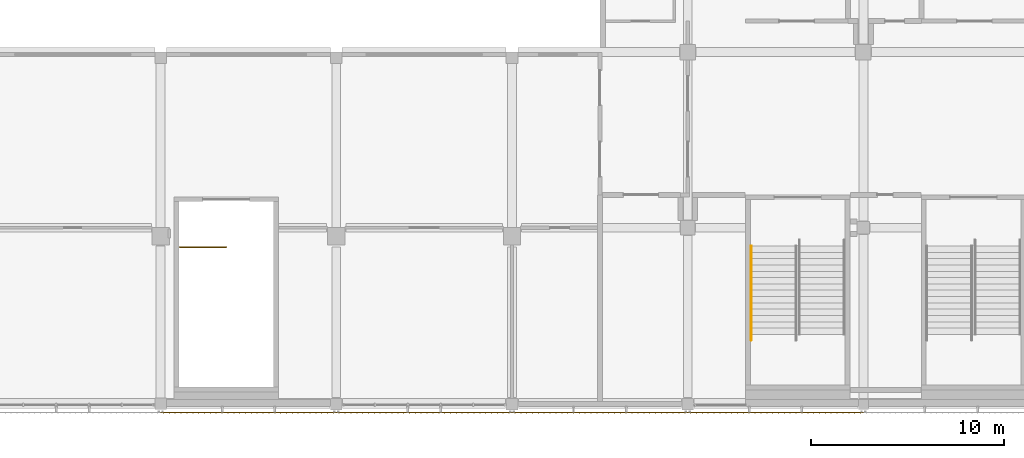
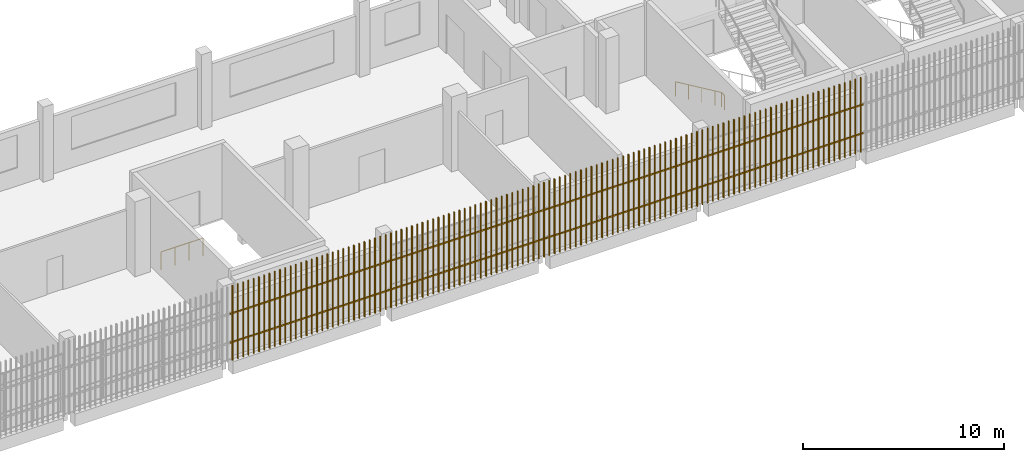
# One storey, part 91 of 104: 4 shading devices, 2 railings.
"""IFC4 building model written with IfcOpenShell, lengths in metres."""

from ifc_helpers import new_model, si_unit, direction, frame, origin, origin_2d, place, context, subcontext, project, spatial, rectangle, circle, extrude, material, type_object, element, save


model = new_model("IFC4")

# Units and contexts
model_context = context("Model", 3, precision=1e-05, world=origin(), true_north=direction((0.0, 1.0)))
body_context = subcontext(model_context, "Body", "Model", "MODEL_VIEW")
ifc_project = project(units=[si_unit("LENGTHUNIT", "METRE"), si_unit("AREAUNIT", "SQUARE_METRE"), si_unit("VOLUMEUNIT", "CUBIC_METRE"), si_unit("PLANEANGLEUNIT", "RADIAN"), si_unit("MASSUNIT", "GRAM", prefix="KILO")], contexts=[model_context])

# Site, building, storey
site_placement = place(None, origin())
site = spatial("IfcSite", under=ifc_project, at=site_placement, CompositionType="ELEMENT")
building_placement = place(site_placement, origin())
building = spatial("IfcBuilding", under=site, at=building_placement, Name="Shirokan Park Arena", CompositionType="ELEMENT")
storey_placement = place(building_placement, frame((0.0, 0.0, 10.919921875)))
storey = spatial("IfcBuildingStorey", under=building, at=storey_placement, Name="L02", CompositionType="ELEMENT", Elevation=10.919921875)

# Railings
ifc_material_1 = material(Name="Stainless steel", Category="steel")
railing_type_1 = type_object("IfcRailingType", Name="Stair handrail 900", PredefinedType="HANDRAIL", material=ifc_material_1)
railing_1_placement = place(storey_placement, frame((112.489990234375, 8.14990234375, 0.15185546875)))
element("IfcRailing", 1, at=railing_1_placement, inside=storey, type_object=railing_type_1, Name="Handrail Exit Stair 2.D L02 to L03", PredefinedType="HANDRAIL", context=body_context, shape_type="SweptSolid", body=[
    extrude(circle(Radius=0.02392578125, at=origin_2d()), frame((0.0, 0.0, 0.8759765625), z_axis=(0.0, -0.907064445915, 0.420991794405), x_axis=(1.0, 0.0, 0.0)), (0.0, 0.0, 1.0), 1.4404296875),
    extrude(circle(Radius=0.02392578125, at=origin_2d()), frame((0.0, -1.306640625, 1.482421875), z_axis=(0.0, -0.907029769225, 0.421066500378), x_axis=(1.0, 0.0, 0.0)), (0.0, 0.0, 1.0), 1.44091796875),
    extrude(circle(Radius=0.02392578125, at=origin_2d()), frame((0.0, -2.613525390625, 2.0888671875), z_axis=(0.0, -0.907029769225, 0.421066500378), x_axis=(1.0, 0.0, 0.0)), (0.0, 0.0, 1.0), 1.44091796875),
    extrude(circle(Radius=0.02392578125, at=origin_2d()), frame((0.0, -3.92041015625, 2.69580078125), z_axis=(0.0, -0.906934982928, 0.421270621741), x_axis=(1.0, 0.0, 0.0)), (0.0, 0.0, 1.0), 0.720458984375),
    extrude(circle(Radius=0.02392578125, at=origin_2d()), frame((0.0, -4.57373046875, 2.9990234375), z_axis=(0.0, -1.0, 0.0), x_axis=(1.0, 0.0, 0.0)), (0.0, 0.0, 1.0), 0.300048828125),
    extrude(circle(Radius=0.02099609375, at=origin_2d()), origin(), (0.0, 0.0, 1.0), 0.851806640625),
    extrude(circle(Radius=0.02099609375, at=origin_2d()), frame((0.0, -1.306640625, 0.6064453125)), (0.0, 0.0, 1.0), 0.851806640625),
    extrude(circle(Radius=0.02099609375, at=origin_2d()), frame((0.0, -2.613525390625, 1.213134765625)), (0.0, 0.0, 1.0), 0.851806640625),
    extrude(circle(Radius=0.02099609375, at=origin_2d()), frame((0.0, -3.92041015625, 1.81982421875)), (0.0, 0.0, 1.0), 0.851806640625),
    extrude(circle(Radius=0.02099609375, at=origin_2d()), frame((0.0, -4.57373046875, 2.123291015625)), (0.0, 0.0, 1.0), 0.851806640625),
    extrude(circle(Radius=0.02099609375, at=origin_2d()), frame((0.0, -4.873779296875, 2.123291015625)), (0.0, 0.0, 1.0), 0.851806640625),
])
railing_type_2 = type_object("IfcRailingType", Name="Stair well guard 1100", PredefinedType="GUARDRAIL", material=ifc_material_1)
railing_2_placement = place(storey_placement, frame((82.89990234375, 8.10009765625, 0.0)))
element("IfcRailing", 2, at=railing_2_placement, inside=storey, type_object=railing_type_2, Name="Guard Entrance Stair E1.2 L02", PredefinedType="GUARDRAIL", context=body_context, shape_type="SweptSolid", body=[
    extrude(circle(Radius=0.02490234375, at=origin_2d()), frame((0.0, 0.0, 1.0771484375), z_axis=(1.0, 0.0, 0.0), x_axis=(0.0, 1.0, 0.0)), (0.0, 0.0, 1.0), 2.400146484375),
    extrude(circle(Radius=0.02490234375, at=origin_2d()), origin(), (0.0, 0.0, 1.0), 1.052001953125),
    extrude(circle(Radius=0.02490234375, at=origin_2d()), frame((0.800048828125, 0.0, 0.0)), (0.0, 0.0, 1.0), 1.052001953125),
    extrude(circle(Radius=0.02490234375, at=origin_2d()), frame((1.60009765625, 0.0, 0.0)), (0.0, 0.0, 1.0), 1.052001953125),
    extrude(circle(Radius=0.02490234375, at=origin_2d()), frame((2.400146484375, 0.0, 0.0)), (0.0, 0.0, 1.0), 1.052001953125),
])

# Shading devices
ifc_material_2 = material(Name="Timber louvre veil (cedar)", Category="wood")
shading_device_type = type_object("IfcShadingDeviceType", Name="Timber louvre veil panel", PredefinedType="JALOUSIE", material=ifc_material_2)
shading_device_1_placement = place(storey_placement, origin())
element("IfcShadingDevice", 3, at=shading_device_1_placement, inside=storey, type_object=shading_device_type, Name="Timber louvre veil south bay 10 L02", PredefinedType="JALOUSIE", context=body_context, shape_type="SweptSolid", body=[
    extrude(rectangle(XDim=0.050048828125, YDim=0.080078125, at=origin_2d()), frame((82.0517578125, -0.485107421875, 0.0), z_axis=(0.0, 0.0, 1.0), x_axis=(1.0, 0.0, 0.0)), (0.0, 0.0, 1.0), 4.550048828125),
    extrude(rectangle(XDim=0.050048828125, YDim=0.080078125, at=origin_2d()), frame((82.35498046875, -0.485107421875, 0.0), z_axis=(0.0, 0.0, 1.0), x_axis=(1.0, 0.0, 0.0)), (0.0, 0.0, 1.0), 4.550048828125),
    extrude(rectangle(XDim=0.050048828125, YDim=0.080078125, at=origin_2d()), frame((82.658447265625, -0.485107421875, 0.0), z_axis=(0.0, 0.0, 1.0), x_axis=(1.0, 0.0, 0.0)), (0.0, 0.0, 1.0), 4.550048828125),
    extrude(rectangle(XDim=0.050048828125, YDim=0.080078125, at=origin_2d()), frame((82.961669921875, -0.485107421875, 0.0), z_axis=(0.0, 0.0, 1.0), x_axis=(1.0, 0.0, 0.0)), (0.0, 0.0, 1.0), 4.550048828125),
    extrude(rectangle(XDim=0.050048828125, YDim=0.080078125, at=origin_2d()), frame((83.264892578125, -0.485107421875, 0.0), z_axis=(0.0, 0.0, 1.0), x_axis=(1.0, 0.0, 0.0)), (0.0, 0.0, 1.0), 4.550048828125),
    extrude(rectangle(XDim=0.050048828125, YDim=0.080078125, at=origin_2d()), frame((83.568359375, -0.485107421875, 0.0), z_axis=(0.0, 0.0, 1.0), x_axis=(1.0, 0.0, 0.0)), (0.0, 0.0, 1.0), 4.550048828125),
    extrude(rectangle(XDim=0.050048828125, YDim=0.080078125, at=origin_2d()), frame((83.87158203125, -0.485107421875, 0.0), z_axis=(0.0, 0.0, 1.0), x_axis=(1.0, 0.0, 0.0)), (0.0, 0.0, 1.0), 4.550048828125),
    extrude(rectangle(XDim=0.050048828125, YDim=0.080078125, at=origin_2d()), frame((84.175048828125, -0.485107421875, 0.0), z_axis=(0.0, 0.0, 1.0), x_axis=(1.0, 0.0, 0.0)), (0.0, 0.0, 1.0), 4.550048828125),
    extrude(rectangle(XDim=0.050048828125, YDim=0.080078125, at=origin_2d()), frame((84.478271484375, -0.485107421875, 0.0), z_axis=(0.0, 0.0, 1.0), x_axis=(1.0, 0.0, 0.0)), (0.0, 0.0, 1.0), 4.550048828125),
    extrude(rectangle(XDim=0.050048828125, YDim=0.080078125, at=origin_2d()), frame((84.78173828125, -0.485107421875, 0.0), z_axis=(0.0, 0.0, 1.0), x_axis=(1.0, 0.0, 0.0)), (0.0, 0.0, 1.0), 4.550048828125),
    extrude(rectangle(XDim=0.050048828125, YDim=0.080078125, at=origin_2d()), frame((85.0849609375, -0.485107421875, 0.0), z_axis=(0.0, 0.0, 1.0), x_axis=(1.0, 0.0, 0.0)), (0.0, 0.0, 1.0), 4.550048828125),
    extrude(rectangle(XDim=0.050048828125, YDim=0.080078125, at=origin_2d()), frame((85.388427734375, -0.485107421875, 0.0), z_axis=(0.0, 0.0, 1.0), x_axis=(1.0, 0.0, 0.0)), (0.0, 0.0, 1.0), 4.550048828125),
    extrude(rectangle(XDim=0.050048828125, YDim=0.080078125, at=origin_2d()), frame((85.691650390625, -0.485107421875, 0.0), z_axis=(0.0, 0.0, 1.0), x_axis=(1.0, 0.0, 0.0)), (0.0, 0.0, 1.0), 4.550048828125),
    extrude(rectangle(XDim=0.050048828125, YDim=0.080078125, at=origin_2d()), frame((85.9951171875, -0.485107421875, 0.0), z_axis=(0.0, 0.0, 1.0), x_axis=(1.0, 0.0, 0.0)), (0.0, 0.0, 1.0), 4.550048828125),
    extrude(rectangle(XDim=0.050048828125, YDim=0.080078125, at=origin_2d()), frame((86.29833984375, -0.485107421875, 0.0), z_axis=(0.0, 0.0, 1.0), x_axis=(1.0, 0.0, 0.0)), (0.0, 0.0, 1.0), 4.550048828125),
    extrude(rectangle(XDim=0.050048828125, YDim=0.080078125, at=origin_2d()), frame((86.6015625, -0.485107421875, 0.0), z_axis=(0.0, 0.0, 1.0), x_axis=(1.0, 0.0, 0.0)), (0.0, 0.0, 1.0), 4.550048828125),
    extrude(rectangle(XDim=0.050048828125, YDim=0.080078125, at=origin_2d()), frame((86.905029296875, -0.485107421875, 0.0), z_axis=(0.0, 0.0, 1.0), x_axis=(1.0, 0.0, 0.0)), (0.0, 0.0, 1.0), 4.550048828125),
    extrude(rectangle(XDim=0.050048828125, YDim=0.080078125, at=origin_2d()), frame((87.208251953125, -0.485107421875, 0.0), z_axis=(0.0, 0.0, 1.0), x_axis=(1.0, 0.0, 0.0)), (0.0, 0.0, 1.0), 4.550048828125),
    extrude(rectangle(XDim=0.050048828125, YDim=0.080078125, at=origin_2d()), frame((87.51171875, -0.485107421875, 0.0), z_axis=(0.0, 0.0, 1.0), x_axis=(1.0, 0.0, 0.0)), (0.0, 0.0, 1.0), 4.550048828125),
    extrude(rectangle(XDim=0.050048828125, YDim=0.080078125, at=origin_2d()), frame((87.81494140625, -0.485107421875, 0.0), z_axis=(0.0, 0.0, 1.0), x_axis=(1.0, 0.0, 0.0)), (0.0, 0.0, 1.0), 4.550048828125),
    extrude(rectangle(XDim=0.050048828125, YDim=0.080078125, at=origin_2d()), frame((88.118408203125, -0.485107421875, 0.0), z_axis=(0.0, 0.0, 1.0), x_axis=(1.0, 0.0, 0.0)), (0.0, 0.0, 1.0), 4.550048828125),
    extrude(rectangle(XDim=0.050048828125, YDim=0.080078125, at=origin_2d()), frame((88.421630859375, -0.485107421875, 0.0), z_axis=(0.0, 0.0, 1.0), x_axis=(1.0, 0.0, 0.0)), (0.0, 0.0, 1.0), 4.550048828125),
    extrude(rectangle(XDim=0.050048828125, YDim=0.080078125, at=origin_2d()), frame((88.72509765625, -0.485107421875, 0.0), z_axis=(0.0, 0.0, 1.0), x_axis=(1.0, 0.0, 0.0)), (0.0, 0.0, 1.0), 4.550048828125),
    extrude(rectangle(XDim=0.050048828125, YDim=0.080078125, at=origin_2d()), frame((89.0283203125, -0.485107421875, 0.0), z_axis=(0.0, 0.0, 1.0), x_axis=(1.0, 0.0, 0.0)), (0.0, 0.0, 1.0), 4.550048828125),
    extrude(rectangle(XDim=0.050048828125, YDim=0.080078125, at=origin_2d()), frame((89.331787109375, -0.485107421875, 0.0), z_axis=(0.0, 0.0, 1.0), x_axis=(1.0, 0.0, 0.0)), (0.0, 0.0, 1.0), 4.550048828125),
    extrude(rectangle(XDim=0.050048828125, YDim=0.080078125, at=origin_2d()), frame((89.635009765625, -0.485107421875, 0.0), z_axis=(0.0, 0.0, 1.0), x_axis=(1.0, 0.0, 0.0)), (0.0, 0.0, 1.0), 4.550048828125),
    extrude(rectangle(XDim=0.050048828125, YDim=0.080078125, at=origin_2d()), frame((89.938232421875, -0.485107421875, 0.0), z_axis=(0.0, 0.0, 1.0), x_axis=(1.0, 0.0, 0.0)), (0.0, 0.0, 1.0), 4.550048828125),
    extrude(rectangle(XDim=0.050048828125, YDim=0.080078125, at=origin_2d()), frame((90.24169921875, -0.485107421875, 0.0), z_axis=(0.0, 0.0, 1.0), x_axis=(1.0, 0.0, 0.0)), (0.0, 0.0, 1.0), 4.550048828125),
    extrude(rectangle(XDim=0.050048828125, YDim=0.080078125, at=origin_2d()), frame((90.544921875, -0.485107421875, 0.0), z_axis=(0.0, 0.0, 1.0), x_axis=(1.0, 0.0, 0.0)), (0.0, 0.0, 1.0), 4.550048828125),
    extrude(rectangle(XDim=0.050048828125, YDim=0.080078125, at=origin_2d()), frame((90.848388671875, -0.485107421875, 0.0), z_axis=(0.0, 0.0, 1.0), x_axis=(1.0, 0.0, 0.0)), (0.0, 0.0, 1.0), 4.550048828125),
    extrude(rectangle(XDim=9.10009765625, YDim=0.050048828125, at=origin_2d()), frame((86.449951171875, -0.469970703125, 1.06005859375), z_axis=(0.0, 0.0, 1.0), x_axis=(1.0, 0.0, 0.0)), (0.0, 0.0, 1.0), 0.080078125),
    extrude(rectangle(XDim=9.10009765625, YDim=0.050048828125, at=origin_2d()), frame((86.449951171875, -0.469970703125, 2.81005859375), z_axis=(0.0, 0.0, 1.0), x_axis=(1.0, 0.0, 0.0)), (0.0, 0.0, 1.0), 0.080078125),
])
shading_device_2_placement = place(storey_placement, origin())
element("IfcShadingDevice", 4, at=shading_device_2_placement, inside=storey, type_object=shading_device_type, Name="Timber louvre veil south bay 11 L02", PredefinedType="JALOUSIE", context=body_context, shape_type="SweptSolid", body=[
    extrude(rectangle(XDim=0.050048828125, YDim=0.080078125, at=origin_2d()), frame((91.151611328125, -0.485107421875, 0.0), z_axis=(0.0, 0.0, 1.0), x_axis=(1.0, 0.0, 0.0)), (0.0, 0.0, 1.0), 4.550048828125),
    extrude(rectangle(XDim=0.050048828125, YDim=0.080078125, at=origin_2d()), frame((91.455078125, -0.485107421875, 0.0), z_axis=(0.0, 0.0, 1.0), x_axis=(1.0, 0.0, 0.0)), (0.0, 0.0, 1.0), 4.550048828125),
    extrude(rectangle(XDim=0.050048828125, YDim=0.080078125, at=origin_2d()), frame((91.75830078125, -0.485107421875, 0.0), z_axis=(0.0, 0.0, 1.0), x_axis=(1.0, 0.0, 0.0)), (0.0, 0.0, 1.0), 4.550048828125),
    extrude(rectangle(XDim=0.050048828125, YDim=0.080078125, at=origin_2d()), frame((92.061767578125, -0.485107421875, 0.0), z_axis=(0.0, 0.0, 1.0), x_axis=(1.0, 0.0, 0.0)), (0.0, 0.0, 1.0), 4.550048828125),
    extrude(rectangle(XDim=0.050048828125, YDim=0.080078125, at=origin_2d()), frame((92.364990234375, -0.485107421875, 0.0), z_axis=(0.0, 0.0, 1.0), x_axis=(1.0, 0.0, 0.0)), (0.0, 0.0, 1.0), 4.550048828125),
    extrude(rectangle(XDim=0.050048828125, YDim=0.080078125, at=origin_2d()), frame((92.668212890625, -0.485107421875, 0.0), z_axis=(0.0, 0.0, 1.0), x_axis=(1.0, 0.0, 0.0)), (0.0, 0.0, 1.0), 4.550048828125),
    extrude(rectangle(XDim=0.050048828125, YDim=0.080078125, at=origin_2d()), frame((92.9716796875, -0.485107421875, 0.0), z_axis=(0.0, 0.0, 1.0), x_axis=(1.0, 0.0, 0.0)), (0.0, 0.0, 1.0), 4.550048828125),
    extrude(rectangle(XDim=0.050048828125, YDim=0.080078125, at=origin_2d()), frame((93.27490234375, -0.485107421875, 0.0), z_axis=(0.0, 0.0, 1.0), x_axis=(1.0, 0.0, 0.0)), (0.0, 0.0, 1.0), 4.550048828125),
    extrude(rectangle(XDim=0.050048828125, YDim=0.080078125, at=origin_2d()), frame((93.578369140625, -0.485107421875, 0.0), z_axis=(0.0, 0.0, 1.0), x_axis=(1.0, 0.0, 0.0)), (0.0, 0.0, 1.0), 4.550048828125),
    extrude(rectangle(XDim=0.050048828125, YDim=0.080078125, at=origin_2d()), frame((93.881591796875, -0.485107421875, 0.0), z_axis=(0.0, 0.0, 1.0), x_axis=(1.0, 0.0, 0.0)), (0.0, 0.0, 1.0), 4.550048828125),
    extrude(rectangle(XDim=0.050048828125, YDim=0.080078125, at=origin_2d()), frame((94.18505859375, -0.485107421875, 0.0), z_axis=(0.0, 0.0, 1.0), x_axis=(1.0, 0.0, 0.0)), (0.0, 0.0, 1.0), 4.550048828125),
    extrude(rectangle(XDim=0.050048828125, YDim=0.080078125, at=origin_2d()), frame((94.48828125, -0.485107421875, 0.0), z_axis=(0.0, 0.0, 1.0), x_axis=(1.0, 0.0, 0.0)), (0.0, 0.0, 1.0), 4.550048828125),
    extrude(rectangle(XDim=0.050048828125, YDim=0.080078125, at=origin_2d()), frame((94.791748046875, -0.485107421875, 0.0), z_axis=(0.0, 0.0, 1.0), x_axis=(1.0, 0.0, 0.0)), (0.0, 0.0, 1.0), 4.550048828125),
    extrude(rectangle(XDim=0.050048828125, YDim=0.080078125, at=origin_2d()), frame((95.094970703125, -0.485107421875, 0.0), z_axis=(0.0, 0.0, 1.0), x_axis=(1.0, 0.0, 0.0)), (0.0, 0.0, 1.0), 4.550048828125),
    extrude(rectangle(XDim=0.050048828125, YDim=0.080078125, at=origin_2d()), frame((95.3984375, -0.485107421875, 0.0), z_axis=(0.0, 0.0, 1.0), x_axis=(1.0, 0.0, 0.0)), (0.0, 0.0, 1.0), 4.550048828125),
    extrude(rectangle(XDim=0.050048828125, YDim=0.080078125, at=origin_2d()), frame((95.70166015625, -0.485107421875, 0.0), z_axis=(0.0, 0.0, 1.0), x_axis=(1.0, 0.0, 0.0)), (0.0, 0.0, 1.0), 4.550048828125),
    extrude(rectangle(XDim=0.050048828125, YDim=0.080078125, at=origin_2d()), frame((96.0048828125, -0.485107421875, 0.0), z_axis=(0.0, 0.0, 1.0), x_axis=(1.0, 0.0, 0.0)), (0.0, 0.0, 1.0), 4.550048828125),
    extrude(rectangle(XDim=0.050048828125, YDim=0.080078125, at=origin_2d()), frame((96.308349609375, -0.485107421875, 0.0), z_axis=(0.0, 0.0, 1.0), x_axis=(1.0, 0.0, 0.0)), (0.0, 0.0, 1.0), 4.550048828125),
    extrude(rectangle(XDim=0.050048828125, YDim=0.080078125, at=origin_2d()), frame((96.611572265625, -0.485107421875, 0.0), z_axis=(0.0, 0.0, 1.0), x_axis=(1.0, 0.0, 0.0)), (0.0, 0.0, 1.0), 4.550048828125),
    extrude(rectangle(XDim=0.050048828125, YDim=0.080078125, at=origin_2d()), frame((96.9150390625, -0.485107421875, 0.0), z_axis=(0.0, 0.0, 1.0), x_axis=(1.0, 0.0, 0.0)), (0.0, 0.0, 1.0), 4.550048828125),
    extrude(rectangle(XDim=0.050048828125, YDim=0.080078125, at=origin_2d()), frame((97.21826171875, -0.485107421875, 0.0), z_axis=(0.0, 0.0, 1.0), x_axis=(1.0, 0.0, 0.0)), (0.0, 0.0, 1.0), 4.550048828125),
    extrude(rectangle(XDim=0.050048828125, YDim=0.080078125, at=origin_2d()), frame((97.521728515625, -0.485107421875, 0.0), z_axis=(0.0, 0.0, 1.0), x_axis=(1.0, 0.0, 0.0)), (0.0, 0.0, 1.0), 4.550048828125),
    extrude(rectangle(XDim=0.050048828125, YDim=0.080078125, at=origin_2d()), frame((97.824951171875, -0.485107421875, 0.0), z_axis=(0.0, 0.0, 1.0), x_axis=(1.0, 0.0, 0.0)), (0.0, 0.0, 1.0), 4.550048828125),
    extrude(rectangle(XDim=0.050048828125, YDim=0.080078125, at=origin_2d()), frame((98.12841796875, -0.485107421875, 0.0), z_axis=(0.0, 0.0, 1.0), x_axis=(1.0, 0.0, 0.0)), (0.0, 0.0, 1.0), 4.550048828125),
    extrude(rectangle(XDim=0.050048828125, YDim=0.080078125, at=origin_2d()), frame((98.431640625, -0.485107421875, 0.0), z_axis=(0.0, 0.0, 1.0), x_axis=(1.0, 0.0, 0.0)), (0.0, 0.0, 1.0), 4.550048828125),
    extrude(rectangle(XDim=0.050048828125, YDim=0.080078125, at=origin_2d()), frame((98.735107421875, -0.485107421875, 0.0), z_axis=(0.0, 0.0, 1.0), x_axis=(1.0, 0.0, 0.0)), (0.0, 0.0, 1.0), 4.550048828125),
    extrude(rectangle(XDim=0.050048828125, YDim=0.080078125, at=origin_2d()), frame((99.038330078125, -0.485107421875, 0.0), z_axis=(0.0, 0.0, 1.0), x_axis=(1.0, 0.0, 0.0)), (0.0, 0.0, 1.0), 4.550048828125),
    extrude(rectangle(XDim=0.050048828125, YDim=0.080078125, at=origin_2d()), frame((99.341552734375, -0.485107421875, 0.0), z_axis=(0.0, 0.0, 1.0), x_axis=(1.0, 0.0, 0.0)), (0.0, 0.0, 1.0), 4.550048828125),
    extrude(rectangle(XDim=0.050048828125, YDim=0.080078125, at=origin_2d()), frame((99.64501953125, -0.485107421875, 0.0), z_axis=(0.0, 0.0, 1.0), x_axis=(1.0, 0.0, 0.0)), (0.0, 0.0, 1.0), 4.550048828125),
    extrude(rectangle(XDim=0.050048828125, YDim=0.080078125, at=origin_2d()), frame((99.9482421875, -0.485107421875, 0.0), z_axis=(0.0, 0.0, 1.0), x_axis=(1.0, 0.0, 0.0)), (0.0, 0.0, 1.0), 4.550048828125),
    extrude(rectangle(XDim=9.10009765625, YDim=0.050048828125, at=origin_2d()), frame((95.550048828125, -0.469970703125, 1.06005859375), z_axis=(0.0, 0.0, 1.0), x_axis=(1.0, 0.0, 0.0)), (0.0, 0.0, 1.0), 0.080078125),
    extrude(rectangle(XDim=9.10009765625, YDim=0.050048828125, at=origin_2d()), frame((95.550048828125, -0.469970703125, 2.81005859375), z_axis=(0.0, 0.0, 1.0), x_axis=(1.0, 0.0, 0.0)), (0.0, 0.0, 1.0), 0.080078125),
])
shading_device_3_placement = place(storey_placement, origin())
element("IfcShadingDevice", 5, at=shading_device_3_placement, inside=storey, type_object=shading_device_type, Name="Timber louvre veil south bay 12 L02", PredefinedType="JALOUSIE", context=body_context, shape_type="SweptSolid", body=[
    extrude(rectangle(XDim=0.050048828125, YDim=0.080078125, at=origin_2d()), frame((100.251708984375, -0.485107421875, 0.0), z_axis=(0.0, 0.0, 1.0), x_axis=(1.0, 0.0, 0.0)), (0.0, 0.0, 1.0), 4.550048828125),
    extrude(rectangle(XDim=0.050048828125, YDim=0.080078125, at=origin_2d()), frame((100.554931640625, -0.485107421875, 0.0), z_axis=(0.0, 0.0, 1.0), x_axis=(1.0, 0.0, 0.0)), (0.0, 0.0, 1.0), 4.550048828125),
    extrude(rectangle(XDim=0.050048828125, YDim=0.080078125, at=origin_2d()), frame((100.8583984375, -0.485107421875, 0.0), z_axis=(0.0, 0.0, 1.0), x_axis=(1.0, 0.0, 0.0)), (0.0, 0.0, 1.0), 4.550048828125),
    extrude(rectangle(XDim=0.050048828125, YDim=0.080078125, at=origin_2d()), frame((101.16162109375, -0.485107421875, 0.0), z_axis=(0.0, 0.0, 1.0), x_axis=(1.0, 0.0, 0.0)), (0.0, 0.0, 1.0), 4.550048828125),
    extrude(rectangle(XDim=0.050048828125, YDim=0.080078125, at=origin_2d()), frame((101.465087890625, -0.485107421875, 0.0), z_axis=(0.0, 0.0, 1.0), x_axis=(1.0, 0.0, 0.0)), (0.0, 0.0, 1.0), 4.550048828125),
    extrude(rectangle(XDim=0.050048828125, YDim=0.080078125, at=origin_2d()), frame((101.768310546875, -0.485107421875, 0.0), z_axis=(0.0, 0.0, 1.0), x_axis=(1.0, 0.0, 0.0)), (0.0, 0.0, 1.0), 4.550048828125),
    extrude(rectangle(XDim=0.050048828125, YDim=0.080078125, at=origin_2d()), frame((102.07177734375, -0.485107421875, 0.0), z_axis=(0.0, 0.0, 1.0), x_axis=(1.0, 0.0, 0.0)), (0.0, 0.0, 1.0), 4.550048828125),
    extrude(rectangle(XDim=0.050048828125, YDim=0.080078125, at=origin_2d()), frame((102.375, -0.485107421875, 0.0), z_axis=(0.0, 0.0, 1.0), x_axis=(1.0, 0.0, 0.0)), (0.0, 0.0, 1.0), 4.550048828125),
    extrude(rectangle(XDim=0.050048828125, YDim=0.080078125, at=origin_2d()), frame((102.67822265625, -0.485107421875, 0.0), z_axis=(0.0, 0.0, 1.0), x_axis=(1.0, 0.0, 0.0)), (0.0, 0.0, 1.0), 4.550048828125),
    extrude(rectangle(XDim=0.050048828125, YDim=0.080078125, at=origin_2d()), frame((102.981689453125, -0.485107421875, 0.0), z_axis=(0.0, 0.0, 1.0), x_axis=(1.0, 0.0, 0.0)), (0.0, 0.0, 1.0), 4.550048828125),
    extrude(rectangle(XDim=0.050048828125, YDim=0.080078125, at=origin_2d()), frame((103.284912109375, -0.485107421875, 0.0), z_axis=(0.0, 0.0, 1.0), x_axis=(1.0, 0.0, 0.0)), (0.0, 0.0, 1.0), 4.550048828125),
    extrude(rectangle(XDim=0.050048828125, YDim=0.080078125, at=origin_2d()), frame((103.58837890625, -0.485107421875, 0.0), z_axis=(0.0, 0.0, 1.0), x_axis=(1.0, 0.0, 0.0)), (0.0, 0.0, 1.0), 4.550048828125),
    extrude(rectangle(XDim=0.050048828125, YDim=0.080078125, at=origin_2d()), frame((103.8916015625, -0.485107421875, 0.0), z_axis=(0.0, 0.0, 1.0), x_axis=(1.0, 0.0, 0.0)), (0.0, 0.0, 1.0), 4.550048828125),
    extrude(rectangle(XDim=0.050048828125, YDim=0.080078125, at=origin_2d()), frame((104.195068359375, -0.485107421875, 0.0), z_axis=(0.0, 0.0, 1.0), x_axis=(1.0, 0.0, 0.0)), (0.0, 0.0, 1.0), 4.550048828125),
    extrude(rectangle(XDim=0.050048828125, YDim=0.080078125, at=origin_2d()), frame((104.498291015625, -0.485107421875, 0.0), z_axis=(0.0, 0.0, 1.0), x_axis=(1.0, 0.0, 0.0)), (0.0, 0.0, 1.0), 4.550048828125),
    extrude(rectangle(XDim=0.050048828125, YDim=0.080078125, at=origin_2d()), frame((104.8017578125, -0.485107421875, 0.0), z_axis=(0.0, 0.0, 1.0), x_axis=(1.0, 0.0, 0.0)), (0.0, 0.0, 1.0), 4.550048828125),
    extrude(rectangle(XDim=0.050048828125, YDim=0.080078125, at=origin_2d()), frame((105.10498046875, -0.485107421875, 0.0), z_axis=(0.0, 0.0, 1.0), x_axis=(1.0, 0.0, 0.0)), (0.0, 0.0, 1.0), 4.550048828125),
    extrude(rectangle(XDim=0.050048828125, YDim=0.080078125, at=origin_2d()), frame((105.408447265625, -0.485107421875, 0.0), z_axis=(0.0, 0.0, 1.0), x_axis=(1.0, 0.0, 0.0)), (0.0, 0.0, 1.0), 4.550048828125),
    extrude(rectangle(XDim=0.050048828125, YDim=0.080078125, at=origin_2d()), frame((105.711669921875, -0.485107421875, 0.0), z_axis=(0.0, 0.0, 1.0), x_axis=(1.0, 0.0, 0.0)), (0.0, 0.0, 1.0), 4.550048828125),
    extrude(rectangle(XDim=0.050048828125, YDim=0.080078125, at=origin_2d()), frame((106.014892578125, -0.485107421875, 0.0), z_axis=(0.0, 0.0, 1.0), x_axis=(1.0, 0.0, 0.0)), (0.0, 0.0, 1.0), 4.550048828125),
    extrude(rectangle(XDim=0.050048828125, YDim=0.080078125, at=origin_2d()), frame((106.318359375, -0.485107421875, 0.0), z_axis=(0.0, 0.0, 1.0), x_axis=(1.0, 0.0, 0.0)), (0.0, 0.0, 1.0), 4.550048828125),
    extrude(rectangle(XDim=0.050048828125, YDim=0.080078125, at=origin_2d()), frame((106.62158203125, -0.485107421875, 0.0), z_axis=(0.0, 0.0, 1.0), x_axis=(1.0, 0.0, 0.0)), (0.0, 0.0, 1.0), 4.550048828125),
    extrude(rectangle(XDim=0.050048828125, YDim=0.080078125, at=origin_2d()), frame((106.925048828125, -0.485107421875, 0.0), z_axis=(0.0, 0.0, 1.0), x_axis=(1.0, 0.0, 0.0)), (0.0, 0.0, 1.0), 4.550048828125),
    extrude(rectangle(XDim=0.050048828125, YDim=0.080078125, at=origin_2d()), frame((107.228271484375, -0.485107421875, 0.0), z_axis=(0.0, 0.0, 1.0), x_axis=(1.0, 0.0, 0.0)), (0.0, 0.0, 1.0), 4.550048828125),
    extrude(rectangle(XDim=0.050048828125, YDim=0.080078125, at=origin_2d()), frame((107.53173828125, -0.485107421875, 0.0), z_axis=(0.0, 0.0, 1.0), x_axis=(1.0, 0.0, 0.0)), (0.0, 0.0, 1.0), 4.550048828125),
    extrude(rectangle(XDim=0.050048828125, YDim=0.080078125, at=origin_2d()), frame((107.8349609375, -0.485107421875, 0.0), z_axis=(0.0, 0.0, 1.0), x_axis=(1.0, 0.0, 0.0)), (0.0, 0.0, 1.0), 4.550048828125),
    extrude(rectangle(XDim=0.050048828125, YDim=0.080078125, at=origin_2d()), frame((108.138427734375, -0.485107421875, 0.0), z_axis=(0.0, 0.0, 1.0), x_axis=(1.0, 0.0, 0.0)), (0.0, 0.0, 1.0), 4.550048828125),
    extrude(rectangle(XDim=0.050048828125, YDim=0.080078125, at=origin_2d()), frame((108.441650390625, -0.485107421875, 0.0), z_axis=(0.0, 0.0, 1.0), x_axis=(1.0, 0.0, 0.0)), (0.0, 0.0, 1.0), 4.550048828125),
    extrude(rectangle(XDim=0.050048828125, YDim=0.080078125, at=origin_2d()), frame((108.7451171875, -0.485107421875, 0.0), z_axis=(0.0, 0.0, 1.0), x_axis=(1.0, 0.0, 0.0)), (0.0, 0.0, 1.0), 4.550048828125),
    extrude(rectangle(XDim=0.050048828125, YDim=0.080078125, at=origin_2d()), frame((109.04833984375, -0.485107421875, 0.0), z_axis=(0.0, 0.0, 1.0), x_axis=(1.0, 0.0, 0.0)), (0.0, 0.0, 1.0), 4.550048828125),
    extrude(rectangle(XDim=9.10009765625, YDim=0.050048828125, at=origin_2d()), frame((104.64990234375, -0.469970703125, 1.06005859375), z_axis=(0.0, 0.0, 1.0), x_axis=(1.0, 0.0, 0.0)), (0.0, 0.0, 1.0), 0.080078125),
    extrude(rectangle(XDim=9.10009765625, YDim=0.050048828125, at=origin_2d()), frame((104.64990234375, -0.469970703125, 2.81005859375), z_axis=(0.0, 0.0, 1.0), x_axis=(1.0, 0.0, 0.0)), (0.0, 0.0, 1.0), 0.080078125),
])
shading_device_4_placement = place(storey_placement, origin())
element("IfcShadingDevice", 6, at=shading_device_4_placement, inside=storey, type_object=shading_device_type, Name="Timber louvre veil south bay 13 L02", PredefinedType="JALOUSIE", context=body_context, shape_type="SweptSolid", body=[
    extrude(rectangle(XDim=0.050048828125, YDim=0.080078125, at=origin_2d()), frame((109.3515625, -0.485107421875, 0.0), z_axis=(0.0, 0.0, 1.0), x_axis=(1.0, 0.0, 0.0)), (0.0, 0.0, 1.0), 4.550048828125),
    extrude(rectangle(XDim=0.050048828125, YDim=0.080078125, at=origin_2d()), frame((109.655029296875, -0.485107421875, 0.0), z_axis=(0.0, 0.0, 1.0), x_axis=(1.0, 0.0, 0.0)), (0.0, 0.0, 1.0), 4.550048828125),
    extrude(rectangle(XDim=0.050048828125, YDim=0.080078125, at=origin_2d()), frame((109.958251953125, -0.485107421875, 0.0), z_axis=(0.0, 0.0, 1.0), x_axis=(1.0, 0.0, 0.0)), (0.0, 0.0, 1.0), 4.550048828125),
    extrude(rectangle(XDim=0.050048828125, YDim=0.080078125, at=origin_2d()), frame((110.26171875, -0.485107421875, 0.0), z_axis=(0.0, 0.0, 1.0), x_axis=(1.0, 0.0, 0.0)), (0.0, 0.0, 1.0), 4.550048828125),
    extrude(rectangle(XDim=0.050048828125, YDim=0.080078125, at=origin_2d()), frame((110.56494140625, -0.485107421875, 0.0), z_axis=(0.0, 0.0, 1.0), x_axis=(1.0, 0.0, 0.0)), (0.0, 0.0, 1.0), 4.550048828125),
    extrude(rectangle(XDim=0.050048828125, YDim=0.080078125, at=origin_2d()), frame((110.868408203125, -0.485107421875, 0.0), z_axis=(0.0, 0.0, 1.0), x_axis=(1.0, 0.0, 0.0)), (0.0, 0.0, 1.0), 4.550048828125),
    extrude(rectangle(XDim=0.050048828125, YDim=0.080078125, at=origin_2d()), frame((111.171630859375, -0.485107421875, 0.0), z_axis=(0.0, 0.0, 1.0), x_axis=(1.0, 0.0, 0.0)), (0.0, 0.0, 1.0), 4.550048828125),
    extrude(rectangle(XDim=0.050048828125, YDim=0.080078125, at=origin_2d()), frame((111.47509765625, -0.485107421875, 0.0), z_axis=(0.0, 0.0, 1.0), x_axis=(1.0, 0.0, 0.0)), (0.0, 0.0, 1.0), 4.550048828125),
    extrude(rectangle(XDim=0.050048828125, YDim=0.080078125, at=origin_2d()), frame((111.7783203125, -0.485107421875, 0.0), z_axis=(0.0, 0.0, 1.0), x_axis=(1.0, 0.0, 0.0)), (0.0, 0.0, 1.0), 4.550048828125),
    extrude(rectangle(XDim=0.050048828125, YDim=0.080078125, at=origin_2d()), frame((112.081787109375, -0.485107421875, 0.0), z_axis=(0.0, 0.0, 1.0), x_axis=(1.0, 0.0, 0.0)), (0.0, 0.0, 1.0), 4.550048828125),
    extrude(rectangle(XDim=0.050048828125, YDim=0.080078125, at=origin_2d()), frame((112.385009765625, -0.485107421875, 0.0), z_axis=(0.0, 0.0, 1.0), x_axis=(1.0, 0.0, 0.0)), (0.0, 0.0, 1.0), 4.550048828125),
    extrude(rectangle(XDim=0.050048828125, YDim=0.080078125, at=origin_2d()), frame((112.688232421875, -0.485107421875, 0.0), z_axis=(0.0, 0.0, 1.0), x_axis=(1.0, 0.0, 0.0)), (0.0, 0.0, 1.0), 4.550048828125),
    extrude(rectangle(XDim=0.050048828125, YDim=0.080078125, at=origin_2d()), frame((112.99169921875, -0.485107421875, 0.0), z_axis=(0.0, 0.0, 1.0), x_axis=(1.0, 0.0, 0.0)), (0.0, 0.0, 1.0), 4.550048828125),
    extrude(rectangle(XDim=0.050048828125, YDim=0.080078125, at=origin_2d()), frame((113.294921875, -0.485107421875, 0.0), z_axis=(0.0, 0.0, 1.0), x_axis=(1.0, 0.0, 0.0)), (0.0, 0.0, 1.0), 4.550048828125),
    extrude(rectangle(XDim=0.050048828125, YDim=0.080078125, at=origin_2d()), frame((113.598388671875, -0.485107421875, 0.0), z_axis=(0.0, 0.0, 1.0), x_axis=(1.0, 0.0, 0.0)), (0.0, 0.0, 1.0), 4.550048828125),
    extrude(rectangle(XDim=0.050048828125, YDim=0.080078125, at=origin_2d()), frame((113.901611328125, -0.485107421875, 0.0), z_axis=(0.0, 0.0, 1.0), x_axis=(1.0, 0.0, 0.0)), (0.0, 0.0, 1.0), 4.550048828125),
    extrude(rectangle(XDim=0.050048828125, YDim=0.080078125, at=origin_2d()), frame((114.205078125, -0.485107421875, 0.0), z_axis=(0.0, 0.0, 1.0), x_axis=(1.0, 0.0, 0.0)), (0.0, 0.0, 1.0), 4.550048828125),
    extrude(rectangle(XDim=0.050048828125, YDim=0.080078125, at=origin_2d()), frame((114.50830078125, -0.485107421875, 0.0), z_axis=(0.0, 0.0, 1.0), x_axis=(1.0, 0.0, 0.0)), (0.0, 0.0, 1.0), 4.550048828125),
    extrude(rectangle(XDim=0.050048828125, YDim=0.080078125, at=origin_2d()), frame((114.811767578125, -0.485107421875, 0.0), z_axis=(0.0, 0.0, 1.0), x_axis=(1.0, 0.0, 0.0)), (0.0, 0.0, 1.0), 4.550048828125),
    extrude(rectangle(XDim=0.050048828125, YDim=0.080078125, at=origin_2d()), frame((115.114990234375, -0.485107421875, 0.0), z_axis=(0.0, 0.0, 1.0), x_axis=(1.0, 0.0, 0.0)), (0.0, 0.0, 1.0), 4.550048828125),
    extrude(rectangle(XDim=0.050048828125, YDim=0.080078125, at=origin_2d()), frame((115.418212890625, -0.485107421875, 0.0), z_axis=(0.0, 0.0, 1.0), x_axis=(1.0, 0.0, 0.0)), (0.0, 0.0, 1.0), 4.550048828125),
    extrude(rectangle(XDim=0.050048828125, YDim=0.080078125, at=origin_2d()), frame((115.7216796875, -0.485107421875, 0.0), z_axis=(0.0, 0.0, 1.0), x_axis=(1.0, 0.0, 0.0)), (0.0, 0.0, 1.0), 4.550048828125),
    extrude(rectangle(XDim=0.050048828125, YDim=0.080078125, at=origin_2d()), frame((116.02490234375, -0.485107421875, 0.0), z_axis=(0.0, 0.0, 1.0), x_axis=(1.0, 0.0, 0.0)), (0.0, 0.0, 1.0), 4.550048828125),
    extrude(rectangle(XDim=0.050048828125, YDim=0.080078125, at=origin_2d()), frame((116.328369140625, -0.485107421875, 0.0), z_axis=(0.0, 0.0, 1.0), x_axis=(1.0, 0.0, 0.0)), (0.0, 0.0, 1.0), 4.550048828125),
    extrude(rectangle(XDim=0.050048828125, YDim=0.080078125, at=origin_2d()), frame((116.631591796875, -0.485107421875, 0.0), z_axis=(0.0, 0.0, 1.0), x_axis=(1.0, 0.0, 0.0)), (0.0, 0.0, 1.0), 4.550048828125),
    extrude(rectangle(XDim=0.050048828125, YDim=0.080078125, at=origin_2d()), frame((116.93505859375, -0.485107421875, 0.0), z_axis=(0.0, 0.0, 1.0), x_axis=(1.0, 0.0, 0.0)), (0.0, 0.0, 1.0), 4.550048828125),
    extrude(rectangle(XDim=0.050048828125, YDim=0.080078125, at=origin_2d()), frame((117.23828125, -0.485107421875, 0.0), z_axis=(0.0, 0.0, 1.0), x_axis=(1.0, 0.0, 0.0)), (0.0, 0.0, 1.0), 4.550048828125),
    extrude(rectangle(XDim=0.050048828125, YDim=0.080078125, at=origin_2d()), frame((117.541748046875, -0.485107421875, 0.0), z_axis=(0.0, 0.0, 1.0), x_axis=(1.0, 0.0, 0.0)), (0.0, 0.0, 1.0), 4.550048828125),
    extrude(rectangle(XDim=0.050048828125, YDim=0.080078125, at=origin_2d()), frame((117.844970703125, -0.485107421875, 0.0), z_axis=(0.0, 0.0, 1.0), x_axis=(1.0, 0.0, 0.0)), (0.0, 0.0, 1.0), 4.550048828125),
    extrude(rectangle(XDim=0.050048828125, YDim=0.080078125, at=origin_2d()), frame((118.1484375, -0.485107421875, 0.0), z_axis=(0.0, 0.0, 1.0), x_axis=(1.0, 0.0, 0.0)), (0.0, 0.0, 1.0), 4.550048828125),
    extrude(rectangle(XDim=9.10009765625, YDim=0.050048828125, at=origin_2d()), frame((113.75, -0.469970703125, 1.06005859375), z_axis=(0.0, 0.0, 1.0), x_axis=(1.0, 0.0, 0.0)), (0.0, 0.0, 1.0), 0.080078125),
    extrude(rectangle(XDim=9.10009765625, YDim=0.050048828125, at=origin_2d()), frame((113.75, -0.469970703125, 2.81005859375), z_axis=(0.0, 0.0, 1.0), x_axis=(1.0, 0.0, 0.0)), (0.0, 0.0, 1.0), 0.080078125),
])

save(model, "model.ifc")
